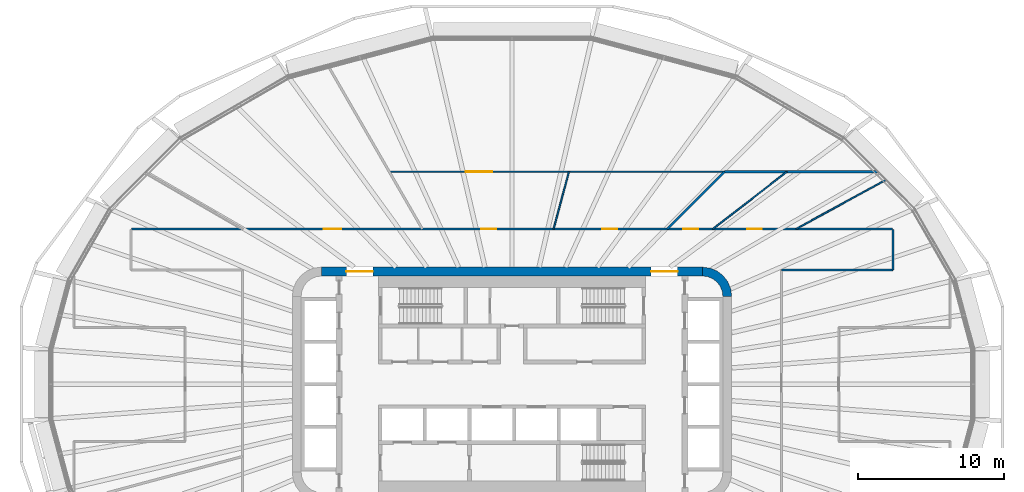
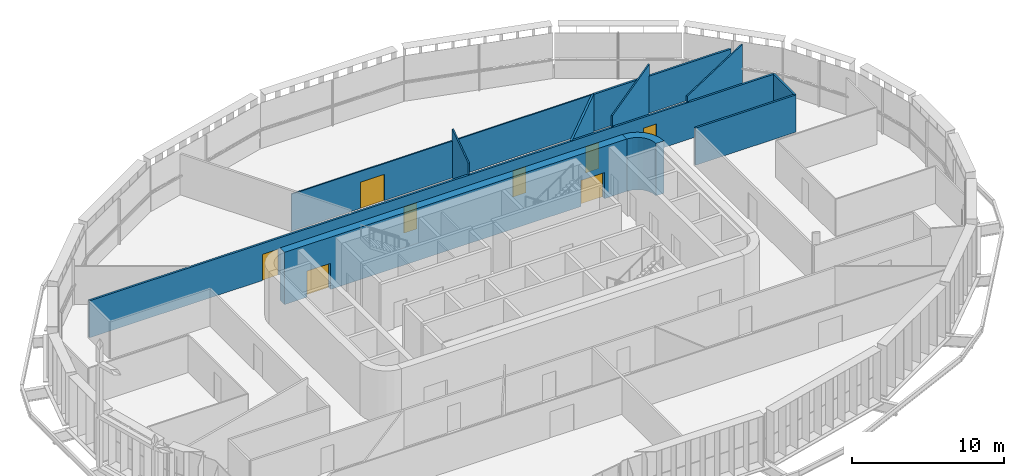
# One storey, part 17 of 25: 11 walls, 8 doors, 8 openings.
"""IFC4 building model written with IfcOpenShell, lengths in metres."""

from ifc_helpers import new_model, si_unit, direction, frame, frame_2d, origin, place, context, subcontext, project, spatial, polyline, rectangle, outline, extrude, material, layer, layer_set, type_object, element, fill, save


model = new_model("IFC4")

# Units and contexts
model_context = context("Model", 3, precision=1e-05, world=origin(), true_north=direction((0.0, 1.0)))
body_context = subcontext(model_context, "Body", "Model", "MODEL_VIEW")
ifc_project = project(units=[si_unit("LENGTHUNIT", "METRE"), si_unit("AREAUNIT", "SQUARE_METRE"), si_unit("VOLUMEUNIT", "CUBIC_METRE"), si_unit("PLANEANGLEUNIT", "RADIAN"), si_unit("MASSUNIT", "GRAM", prefix="KILO")], contexts=[model_context])

# Site, building, storey
site_placement = place(None, origin())
site = spatial("IfcSite", under=ifc_project, at=site_placement, CompositionType="ELEMENT")
building_placement = place(site_placement, origin())
building = spatial("IfcBuilding", under=site, at=building_placement, Name="Sahrelin Media Tower", CompositionType="ELEMENT")
storey_placement = place(building_placement, frame((0.0, 0.0, 135.60009765625)))
storey = spatial("IfcBuildingStorey", under=building, at=storey_placement, Name="L27", CompositionType="ELEMENT", Elevation=135.60009765625)

# Wall, openings, doors
ifc_material_1 = material(Name="Concrete C60/75", Category="concrete")
ifc_layer_1 = layer(ifc_material_1, 0.60009765625)
ifc_layer_set_1 = layer_set([ifc_layer_1], Name="Core wall 600")
wall_type_1 = type_object("IfcWallType", Name="Core wall 600", PredefinedType="SHEAR", material=ifc_layer_set_1)
wall_1_placement = place(storey_placement, frame((-13.0, 7.699951171875, 0.0), z_axis=(0.0, 0.0, 1.0), x_axis=(1.0, 0.0, 0.0)))
wall_1 = element("IfcWall", 1, at=wall_1_placement, inside=storey, type_object=wall_type_1, Name="Core wall N L27", PredefinedType="SHEAR", context=body_context, shape_type="SweptSolid", body=[
    extrude(rectangle(XDim=26.0, YDim=0.60009765625, at=frame_2d((13.0, 0.0))), origin(), (0.0, 0.0, 1.0), 4.199951171875),
])
opening_1_placement = place(wall_1_placement, frame((1.699951171875, 0.0, 0.0)))
opening_1 = element("IfcOpeningElement", 2, at=opening_1_placement, cuts=wall_1, Name="Opening L27-D17", PredefinedType="OPENING", context=body_context, shape_type="SweptSolid", body=[
    extrude(rectangle(XDim=1.800048828125, YDim=2.10009765625, at=frame_2d((0.89990234375, 1.050048828125))), frame((0.0, 0.300048828125, 0.0), z_axis=(0.0, -1.0, 0.0), x_axis=(1.0, 0.0, 0.0)), (0.0, 0.0, 1.0), 0.60009765625),
])
opening_2_placement = place(wall_1_placement, frame((22.5, 0.0, 0.0)))
opening_2 = element("IfcOpeningElement", 3, at=opening_2_placement, cuts=wall_1, Name="Opening L27-D18", PredefinedType="OPENING", context=body_context, shape_type="SweptSolid", body=[
    extrude(rectangle(XDim=1.800048828125, YDim=2.10009765625, at=frame_2d((0.89990234375, 1.050048828125))), frame((0.0, 0.300048828125, 0.0), z_axis=(0.0, -1.0, 0.0), x_axis=(1.0, 0.0, 0.0)), (0.0, 0.0, 1.0), 0.60009765625),
])
ifc_material_2 = material(Name="Steel fire door leaf", Category="steel")
door_type_1 = type_object("IfcDoorType", Name="Lobby double door 1800 x 2100 EI 60", OperationType="DOUBLE_DOOR_SINGLE_SWING", PredefinedType="DOOR", material=ifc_material_2)
door_1_placement = place(opening_1_placement, origin())
door_1 = element("IfcDoor", 4, at=door_1_placement, inside=storey, type_object=door_type_1, Name="Lobby door", OperationType="DOUBLE_DOOR_SINGLE_SWING", OverallHeight=2.10009765625, OverallWidth=1.800048828125, PredefinedType="DOOR", context=body_context, shape_type="SweptSolid", body=[
    extrude(rectangle(XDim=1.800048828125, YDim=2.10009765625, at=frame_2d((0.89990234375, 1.050048828125))), frame((0.0, 0.02490234375, 0.0), z_axis=(0.0, -1.0, 0.0), x_axis=(1.0, 0.0, 0.0)), (0.0, 0.0, 1.0), 0.050048828125),
])
fill(opening_1, door_1)
door_2_placement = place(opening_2_placement, origin())
door_2 = element("IfcDoor", 5, at=door_2_placement, inside=storey, type_object=door_type_1, Name="Lobby door", OperationType="DOUBLE_DOOR_SINGLE_SWING", OverallHeight=2.10009765625, OverallWidth=1.800048828125, PredefinedType="DOOR", context=body_context, shape_type="SweptSolid", body=[
    extrude(rectangle(XDim=1.800048828125, YDim=2.10009765625, at=frame_2d((0.89990234375, 1.050048828125))), frame((0.0, 0.02490234375, 0.0), z_axis=(0.0, -1.0, 0.0), x_axis=(1.0, 0.0, 0.0)), (0.0, 0.0, 1.0), 0.050048828125),
])
fill(opening_2, door_2)

# Walls
wall_2_placement = place(storey_placement, origin())
element("IfcWall", 6, at=wall_2_placement, inside=storey, type_object=wall_type_1, Name="Core wall corner NE L27", PredefinedType="SHEAR", context=body_context, shape_type="SweptSolid", body=[
    extrude(outline(polyline([(13.0, 8.0), (13.0, 7.394775390625), (13.361083984375, 7.347412109375), (13.697509765625, 7.2080078125), (13.986328125, 6.986328125), (14.2080078125, 6.697509765625), (14.347412109375, 6.361083984375), (14.394775390625, 6.0), (15.0, 6.0), (14.931884765625, 6.517578125), (14.732177734375, 7.0), (14.414306640625, 7.414306640625), (14.0, 7.732177734375), (13.517578125, 7.931884765625), (13.0, 8.0)])), origin(), (0.0, 0.0, 1.0), 4.199951171875),
])
ifc_material_3 = material(Name="Fire-rated gypsum board partition")
ifc_layer_2 = layer(ifc_material_3, 0.14990234375)
ifc_layer_set_2 = layer_set([ifc_layer_2], Name="Fire-rated partition 150")
wall_type_2 = type_object("IfcWallType", Name="Fire-rated partition 150", PredefinedType="PARTITIONING", material=ifc_layer_set_2)
wall_3_placement = place(storey_placement, frame((18.39990234375, 7.800048828125, 0.0), z_axis=(0.0, 0.0, 1.0), x_axis=(1.0, 0.0, 0.0)))
element("IfcWall", 7, at=wall_3_placement, inside=storey, type_object=wall_type_2, Name="Wall", PredefinedType="PARTITIONING", context=body_context, shape_type="SweptSolid", body=[
    extrude(rectangle(XDim=7.60009765625, YDim=0.14990234375, at=frame_2d((3.800048828125, 0.0))), origin(), (0.0, 0.0, 1.0), 2.976806640625),
])

# Wall, openings, doors
wall_4_placement = place(storey_placement, frame((-25.986083984375, 10.60009765625, 0.0), z_axis=(0.0, 0.0, 1.0), x_axis=(1.0, 0.0, 0.0)))
wall_4 = element("IfcWall", 8, at=wall_4_placement, inside=storey, type_object=wall_type_2, Name="Wall", PredefinedType="PARTITIONING", context=body_context, shape_type="SweptSolid", body=[
    extrude(rectangle(XDim=51.97216796875, YDim=0.14990234375, at=frame_2d((25.986083984375, 0.0))), origin(), (0.0, 0.0, 1.0), 2.968017578125),
])
opening_3_placement = place(wall_4_placement, frame((42.031494140625, 0.0, 0.0)))
opening_3 = element("IfcOpeningElement", 9, at=opening_3_placement, cuts=wall_4, Name="Opening L27-D23", PredefinedType="OPENING", context=body_context, shape_type="SweptSolid", body=[
    extrude(rectangle(XDim=1.0, YDim=2.10009765625, at=frame_2d((0.5, 1.050048828125))), frame((0.0, 0.074951171875, 0.0), z_axis=(0.0, -1.0, 0.0), x_axis=(1.0, 0.0, 0.0)), (0.0, 0.0, 1.0), 0.14990234375),
])
opening_4_placement = place(wall_4_placement, frame((37.68994140625, 0.0, 0.0)))
opening_4 = element("IfcOpeningElement", 10, at=opening_4_placement, cuts=wall_4, Name="Opening L27-D24", PredefinedType="OPENING", context=body_context, shape_type="SweptSolid", body=[
    extrude(rectangle(XDim=1.0, YDim=2.10009765625, at=frame_2d((0.5, 1.050048828125))), frame((0.0, 0.074951171875, 0.0), z_axis=(0.0, -1.0, 0.0), x_axis=(1.0, 0.0, 0.0)), (0.0, 0.0, 1.0), 0.14990234375),
])
opening_5_placement = place(wall_4_placement, frame((32.155517578125, 0.0, 0.0)))
opening_5 = element("IfcOpeningElement", 11, at=opening_5_placement, cuts=wall_4, Name="Opening L27-D26", PredefinedType="OPENING", context=body_context, shape_type="SweptSolid", body=[
    extrude(rectangle(XDim=1.0, YDim=2.10009765625, at=frame_2d((0.5, 1.050048828125))), frame((0.0, 0.074951171875, 0.0), z_axis=(0.0, -1.0, 0.0), x_axis=(1.0, 0.0, 0.0)), (0.0, 0.0, 1.0), 0.14990234375),
])
opening_6_placement = place(wall_4_placement, frame((23.896484375, 0.0, 0.0)))
opening_6 = element("IfcOpeningElement", 12, at=opening_6_placement, cuts=wall_4, Name="Opening L27-D27", PredefinedType="OPENING", context=body_context, shape_type="SweptSolid", body=[
    extrude(rectangle(XDim=1.0, YDim=2.10009765625, at=frame_2d((0.5, 1.050048828125))), frame((0.0, 0.074951171875, 0.0), z_axis=(0.0, -1.0, 0.0), x_axis=(1.0, 0.0, 0.0)), (0.0, 0.0, 1.0), 0.14990234375),
])
opening_7_placement = place(wall_4_placement, frame((13.1259765625, 0.0, 0.0)))
opening_7 = element("IfcOpeningElement", 13, at=opening_7_placement, cuts=wall_4, Name="Opening L27-D29", PredefinedType="OPENING", context=body_context, shape_type="SweptSolid", body=[
    extrude(rectangle(XDim=1.199951171875, YDim=2.10009765625, at=frame_2d((0.60009765625, 1.050048828125))), frame((0.0, 0.074951171875, 0.0), z_axis=(0.0, -1.0, 0.0), x_axis=(1.0, 0.0, 0.0)), (0.0, 0.0, 1.0), 0.14990234375),
])
door_type_2 = type_object("IfcDoorType", Name="Fire door 1000 x 2100 EI 60", OperationType="NOTDEFINED", PredefinedType="DOOR", material=ifc_material_2)
door_3_placement = place(opening_3_placement, origin())
door_3 = element("IfcDoor", 14, at=door_3_placement, inside=storey, type_object=door_type_2, Name="Fire door", OperationType="SINGLE_SWING_RIGHT", OverallHeight=2.10009765625, OverallWidth=1.0, PredefinedType="DOOR", context=body_context, shape_type="SweptSolid", body=[
    extrude(rectangle(XDim=1.0, YDim=2.10009765625, at=frame_2d((0.5, 1.050048828125))), frame((0.0, 0.02490234375, 0.0), z_axis=(0.0, -1.0, 0.0), x_axis=(1.0, 0.0, 0.0)), (0.0, 0.0, 1.0), 0.050048828125),
])
fill(opening_3, door_3)
door_4_placement = place(opening_4_placement, origin())
door_4 = element("IfcDoor", 15, at=door_4_placement, inside=storey, type_object=door_type_2, Name="Fire door", OperationType="SINGLE_SWING_LEFT", OverallHeight=2.10009765625, OverallWidth=1.0, PredefinedType="DOOR", context=body_context, shape_type="SweptSolid", body=[
    extrude(rectangle(XDim=1.0, YDim=2.10009765625, at=frame_2d((0.5, 1.050048828125))), frame((0.0, 0.02490234375, 0.0), z_axis=(0.0, -1.0, 0.0), x_axis=(1.0, 0.0, 0.0)), (0.0, 0.0, 1.0), 0.050048828125),
])
fill(opening_4, door_4)
door_5_placement = place(opening_5_placement, origin())
door_5 = element("IfcDoor", 16, at=door_5_placement, inside=storey, type_object=door_type_2, Name="Fire door", OperationType="SINGLE_SWING_RIGHT", OverallHeight=2.10009765625, OverallWidth=1.0, PredefinedType="DOOR", context=body_context, shape_type="SweptSolid", body=[
    extrude(rectangle(XDim=1.0, YDim=2.10009765625, at=frame_2d((0.5, 1.050048828125))), frame((0.0, 0.02490234375, 0.0), z_axis=(0.0, -1.0, 0.0), x_axis=(1.0, 0.0, 0.0)), (0.0, 0.0, 1.0), 0.050048828125),
])
fill(opening_5, door_5)
door_6_placement = place(opening_6_placement, origin())
door_6 = element("IfcDoor", 17, at=door_6_placement, inside=storey, type_object=door_type_2, Name="Fire door", OperationType="SINGLE_SWING_LEFT", OverallHeight=2.10009765625, OverallWidth=1.0, PredefinedType="DOOR", context=body_context, shape_type="SweptSolid", body=[
    extrude(rectangle(XDim=1.0, YDim=2.10009765625, at=frame_2d((0.5, 1.050048828125))), frame((0.0, 0.02490234375, 0.0), z_axis=(0.0, -1.0, 0.0), x_axis=(1.0, 0.0, 0.0)), (0.0, 0.0, 1.0), 0.050048828125),
])
fill(opening_6, door_6)
door_type_3 = type_object("IfcDoorType", Name="Service double door 1200 x 2100 EI 60", OperationType="DOUBLE_DOOR_SINGLE_SWING", PredefinedType="DOOR", material=ifc_material_2)
door_7_placement = place(opening_7_placement, origin())
door_7 = element("IfcDoor", 18, at=door_7_placement, inside=storey, type_object=door_type_3, Name="Service double door", OperationType="DOUBLE_DOOR_SINGLE_SWING", OverallHeight=2.10009765625, OverallWidth=1.199951171875, PredefinedType="DOOR", context=body_context, shape_type="SweptSolid", body=[
    extrude(rectangle(XDim=1.199951171875, YDim=2.10009765625, at=frame_2d((0.60009765625, 1.050048828125))), frame((0.0, 0.02490234375, 0.0), z_axis=(0.0, -1.0, 0.0), x_axis=(1.0, 0.0, 0.0)), (0.0, 0.0, 1.0), 0.050048828125),
])
fill(opening_7, door_7)

# Walls
wall_5_placement = place(storey_placement, frame((14.510009765625, 14.510009765625, 0.0), z_axis=(0.0, 0.0, 1.0), x_axis=(1.0, 0.0, 0.0)))
element("IfcWall", 19, at=wall_5_placement, inside=storey, type_object=wall_type_2, Name="Wall", PredefinedType="PARTITIONING", context=body_context, shape_type="SweptSolid", body=[
    extrude(rectangle(XDim=10.4599609375, YDim=0.14990234375, at=frame_2d((5.22998046875, 0.0))), origin(), (0.0, 0.0, 1.0), 2.968017578125),
])
wall_6_placement = place(storey_placement, frame((10.60009765625, 10.60009765625, 0.0), z_axis=(0.0, 0.0, 1.0), x_axis=(0.707106781187, 0.707106781187, 0.0)))
element("IfcWall", 20, at=wall_6_placement, inside=storey, type_object=wall_type_2, Name="Wall", PredefinedType="PARTITIONING", context=body_context, shape_type="SweptSolid", body=[
    extrude(rectangle(XDim=5.529541015625, YDim=0.14990234375, at=frame_2d((2.7646484375, 0.0))), origin(), (0.0, 0.0, 1.0), 2.968017578125),
])
wall_7_placement = place(storey_placement, frame((26.0, 7.800048828125, 0.0), z_axis=(0.0, 0.0, 1.0), x_axis=(0.0, 1.0, 0.0)))
element("IfcWall", 21, at=wall_7_placement, inside=storey, type_object=wall_type_2, Name="Wall", PredefinedType="PARTITIONING", context=body_context, shape_type="SweptSolid", body=[
    extrude(rectangle(XDim=2.77490234375, YDim=0.14990234375, at=frame_2d((1.387451171875, 0.0))), origin(), (0.0, 0.0, 1.0), 2.976806640625),
])

# Wall, opening, door
ifc_material_4 = material(Name="Gypsum board partition")
ifc_layer_3 = layer(ifc_material_4, 0.10009765625)
ifc_layer_set_3 = layer_set([ifc_layer_3], Name="Partition 100")
wall_type_3 = type_object("IfcWallType", Name="Partition 100", PredefinedType="PARTITIONING", material=ifc_layer_set_3)
wall_8_placement = place(storey_placement, frame((-8.3779296875, 14.510009765625, 0.0), z_axis=(0.0, 0.0, 1.0), x_axis=(1.0, 0.0, 0.0)))
wall_8 = element("IfcWall", 22, at=wall_8_placement, inside=storey, type_object=wall_type_3, Name="Wall", PredefinedType="PARTITIONING", context=body_context, shape_type="SweptSolid", body=[
    extrude(rectangle(XDim=22.887939453125, YDim=0.10009765625, at=frame_2d((11.44384765625, 0.0))), origin(), (0.0, 0.0, 1.0), 2.968017578125),
])
opening_8_placement = place(wall_8_placement, frame((5.23291015625, 0.0, 0.0)))
opening_8 = element("IfcOpeningElement", 23, at=opening_8_placement, cuts=wall_8, Name="Opening L27-D28", PredefinedType="OPENING", context=body_context, shape_type="SweptSolid", body=[
    extrude(rectangle(XDim=1.800048828125, YDim=2.10009765625, at=frame_2d((0.89990234375, 1.050048828125))), frame((0.0, 0.050048828125, 0.0), z_axis=(0.0, -1.0, 0.0), x_axis=(1.0, 0.0, 0.0)), (0.0, 0.0, 1.0), 0.10009765625),
])
ifc_material_5 = material(Name="Timber door leaf", Category="wood")
door_type_4 = type_object("IfcDoorType", Name="Double door 1800 x 2100", OperationType="DOUBLE_DOOR_SINGLE_SWING", PredefinedType="DOOR", material=ifc_material_5)
door_8_placement = place(opening_8_placement, origin())
door_8 = element("IfcDoor", 24, at=door_8_placement, inside=storey, type_object=door_type_4, Name="Double door", OperationType="DOUBLE_DOOR_SINGLE_SWING", OverallHeight=2.10009765625, OverallWidth=1.800048828125, PredefinedType="DOOR", context=body_context, shape_type="SweptSolid", body=[
    extrude(rectangle(XDim=1.800048828125, YDim=2.10009765625, at=frame_2d((0.89990234375, 1.050048828125))), frame((0.0, 0.02490234375, 0.0), z_axis=(0.0, -1.0, 0.0), x_axis=(1.0, 0.0, 0.0)), (0.0, 0.0, 1.0), 0.050048828125),
])
fill(opening_8, door_8)

# Walls
wall_9_placement = place(storey_placement, frame((19.384033203125, 10.60009765625, 0.0), z_axis=(0.0, 0.0, 1.0), x_axis=(0.877388352769, 0.479780865006, 0.0)))
element("IfcWall", 25, at=wall_9_placement, inside=storey, type_object=wall_type_3, Name="Wall", PredefinedType="PARTITIONING", context=body_context, shape_type="SweptSolid", body=[
    extrude(rectangle(XDim=6.996826171875, YDim=0.10009765625, at=frame_2d((3.49853515625, 0.0))), origin(), (0.0, 0.0, 1.0), 3.473388671875),
])
wall_10_placement = place(storey_placement, frame((13.70703125, 10.60009765625, 0.0), z_axis=(0.0, 0.0, 1.0), x_axis=(0.791052244704, 0.611748597177, 0.0)))
element("IfcWall", 26, at=wall_10_placement, inside=storey, type_object=wall_type_3, Name="Wall", PredefinedType="PARTITIONING", context=body_context, shape_type="SweptSolid", body=[
    extrude(rectangle(XDim=6.391357421875, YDim=0.10009765625, at=frame_2d((3.19580078125, 0.0))), origin(), (0.0, 0.0, 1.0), 3.89990234375),
])
wall_11_placement = place(storey_placement, frame((2.840087890625, 10.60009765625, 0.0), z_axis=(0.0, 0.0, 1.0), x_axis=(0.258863707653, 0.965913857888, 0.0)))
element("IfcWall", 27, at=wall_11_placement, inside=storey, type_object=wall_type_3, Name="Wall", PredefinedType="PARTITIONING", context=body_context, shape_type="SweptSolid", body=[
    extrude(rectangle(XDim=4.0478515625, YDim=0.10009765625, at=frame_2d((2.02392578125, 0.0))), origin(), (0.0, 0.0, 1.0), 3.89990234375),
])

save(model, "model.ifc")
